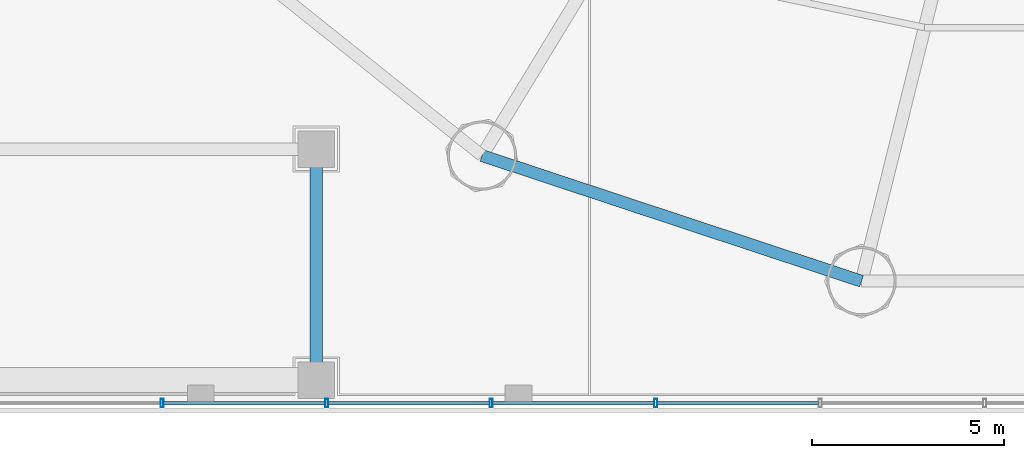
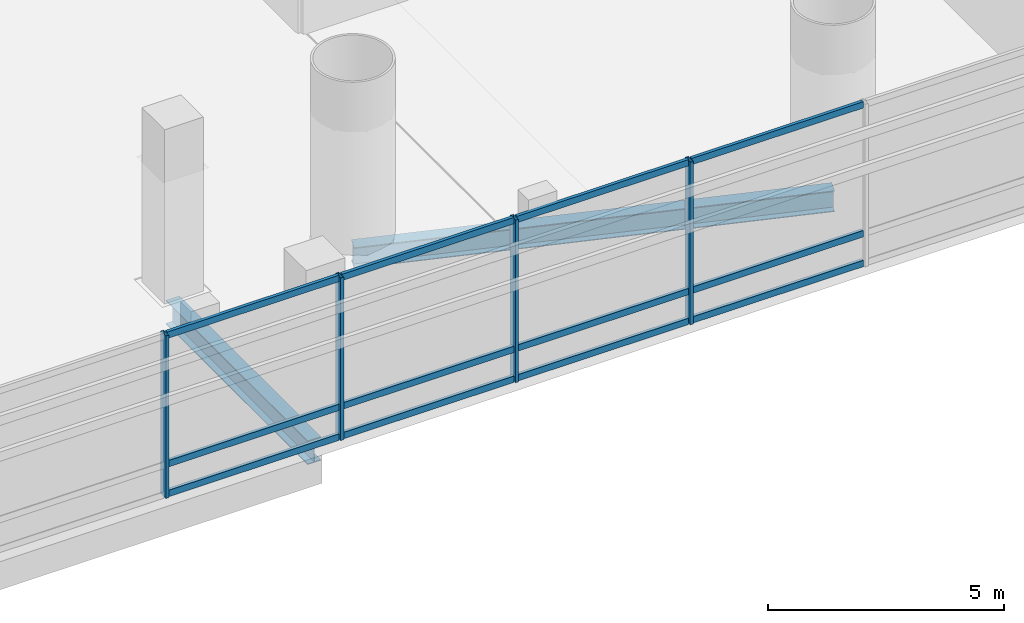
# One storey, part 4 of 36: 16 members, 2 beams, 1 element without a shape of its own.
"""IFC4 building model written with IfcOpenShell, lengths in metres."""

import ifcopenshell
import ifcopenshell.guid

model = None  # the IFC model being written
_history = None  # IfcOwnerHistory: only IFC2X3 demands one
_inside = {}  # id of a spatial element -> (the spatial element, [elements in it])
_under = {}  # id of a project, library or spatial element -> (it, [spatial elements below it])
_declared = {}  # id of a project -> (the project, [libraries it declares])
_typed = {}  # id of a type object -> (the type object, [elements of that type])
_made_of = {}  # id of a material, layer set ... -> (it, [elements and type objects made of it])


def new_model(schema):
    """Start an empty IFC model of exactly this schema.

    Asked for "IFC4X3", IfcOpenShell would pick the latest addendum, in which some entities
    have other attributes; the version numbers below select the first issue.
    IFC2X3 requires an IfcOwnerHistory on every rooted entity: one is made here for all.
    """
    global model, _history
    if schema == "IFC4X3":
        model = ifcopenshell.file(schema_version=(4, 3, 0, 0))
    else:
        model = ifcopenshell.file(schema=schema)
    _inside.clear()
    _under.clear()
    _declared.clear()
    _typed.clear()
    _made_of.clear()
    _history = None
    if model.schema == "IFC2X3":
        org = make("IfcOrganization", Name="unknown")
        user = make(
            "IfcPersonAndOrganization",
            ThePerson=make("IfcPerson", FamilyName="unknown"),
            TheOrganization=org,
        )
        app = make(
            "IfcApplication",
            ApplicationDeveloper=org,
            Version="unknown",
            ApplicationFullName="unknown",
            ApplicationIdentifier="unknown",
        )
        _history = make(
            "IfcOwnerHistory",
            OwningUser=user,
            OwningApplication=app,
            ChangeAction="ADDED",
            CreationDate=0,
        )
    return model


def make(cls, **values):
    """One entity of the class cls with the attributes given. An attribute that is None is left unset."""
    return model.create_entity(
        cls, **{name: value for name, value in values.items() if value is not None}
    )


def rooted(cls, **values):
    """An entity with a GlobalId (a new one), such as an element, a storey or a relation."""
    return make(cls, GlobalId=ifcopenshell.guid.new(), OwnerHistory=_history, **values)


def si_unit(unit_type, name, prefix=None):
    """IfcSIUnit, for example si_unit("LENGTHUNIT", "METRE", prefix="MILLI")."""
    return make("IfcSIUnit", UnitType=unit_type, Prefix=prefix, Name=name)


def assignment(units):
    """IfcUnitAssignment: the units of a project."""
    return None if units is None else make("IfcUnitAssignment", Units=units)


def point(xyz):
    """IfcCartesianPoint."""
    return None if xyz is None else make("IfcCartesianPoint", Coordinates=xyz)


def direction(xyz):
    """IfcDirection."""
    return None if xyz is None else make("IfcDirection", DirectionRatios=xyz)


def frame(location, z_axis=None, x_axis=None):
    """IfcAxis2Placement3D, a coordinate frame: its origin and axes. An axis left out is left unset."""
    return make(
        "IfcAxis2Placement3D",
        Location=point(location),
        Axis=direction(z_axis),
        RefDirection=direction(x_axis),
    )


def frame_2d(location, x_axis=None):
    """IfcAxis2Placement2D, a coordinate frame in the plane: its origin and x axis."""
    return make(
        "IfcAxis2Placement2D", Location=point(location), RefDirection=direction(x_axis)
    )


def origin():
    """The frame at (0, 0, 0) with its axes left unset."""
    return frame((0.0, 0.0, 0.0))


def origin_2d():
    """The frame at (0, 0) in the plane with its x axis left unset."""
    return frame_2d((0.0, 0.0))


def place(relative_to, where):
    """IfcLocalPlacement: puts the frame where relative to a parent placement (None: the world)."""
    return make(
        "IfcLocalPlacement", PlacementRelTo=relative_to, RelativePlacement=where
    )


def context(
    kind, dimensions, precision=None, world=None, true_north=None, identifier=None
):
    """IfcGeometricRepresentationContext, for example the 3D "Model" context."""
    return make(
        "IfcGeometricRepresentationContext",
        ContextIdentifier=identifier,
        ContextType=kind,
        CoordinateSpaceDimension=dimensions,
        Precision=precision,
        WorldCoordinateSystem=world,
        TrueNorth=true_north,
    )


def subcontext(parent, identifier, kind, view, scale=None):
    """IfcGeometricRepresentationSubContext, for example "Body" below "Model"."""
    return make(
        "IfcGeometricRepresentationSubContext",
        ContextIdentifier=identifier,
        ContextType=kind,
        ParentContext=parent,
        TargetScale=scale,
        TargetView=view,
    )


def project(units=None, contexts=None):
    """IfcProject with its units and contexts."""
    return rooted(
        "IfcProject",
        Name="project",
        RepresentationContexts=contexts,
        UnitsInContext=assignment(units),
    )


def spatial(cls, under=None, at=None, **own):
    """A site, building, storey or space (cls), placed at a placement, below another one or the project."""
    s = rooted(cls, ObjectPlacement=at, **own)
    if under is not None:
        _under.setdefault(under.id(), (under, []))[1].append(s)
    return s


def profile(cls, at=None, kind="AREA", **sizes):
    """A parametric profile (cls). Its sizes go by their IFC names, for example OverallWidth=200.0."""
    return make(cls, ProfileType=kind, Position=at, **sizes)


def hollow_rectangle(**sizes):
    """IfcRectangleHollowProfileDef."""
    return profile("IfcRectangleHollowProfileDef", **sizes)


def i_section(**sizes):
    """IfcIShapeProfileDef."""
    return profile("IfcIShapeProfileDef", **sizes)


def extrude(swept, where, along, depth):
    """IfcExtrudedAreaSolid: the profile swept, set in the frame where, extruded along a direction by depth."""
    return make(
        "IfcExtrudedAreaSolid",
        SweptArea=swept,
        Position=where,
        ExtrudedDirection=direction(along),
        Depth=depth,
    )


def shape(context_of_items, identifier, shape_type, items):
    """IfcShapeRepresentation: the items that make up one representation, for example the "Body"."""
    return make(
        "IfcShapeRepresentation",
        ContextOfItems=context_of_items,
        RepresentationIdentifier=identifier,
        RepresentationType=shape_type,
        Items=items,
    )


def source(mapping_origin, context_of_items, identifier, shape_type, items):
    """IfcRepresentationMap: a shape defined once, which mapped items show again and again."""
    return make(
        "IfcRepresentationMap",
        MappingOrigin=mapping_origin,
        MappedRepresentation=shape(context_of_items, identifier, shape_type, items),
    )


def transform(
    local_origin,
    x_axis=None,
    y_axis=None,
    z_axis=None,
    scale=None,
    scale2=None,
    scale3=None,
    uniform=True,
):
    """IfcCartesianTransformationOperator3D, or its non-uniform kind. x_axis, y_axis, z_axis: its Axis1, 2, 3."""
    if uniform:
        return make(
            "IfcCartesianTransformationOperator3D",
            Axis1=direction(x_axis),
            Axis2=direction(y_axis),
            LocalOrigin=point(local_origin),
            Scale=scale,
            Axis3=direction(z_axis),
        )
    return make(
        "IfcCartesianTransformationOperator3DnonUniform",
        Axis1=direction(x_axis),
        Axis2=direction(y_axis),
        LocalOrigin=point(local_origin),
        Scale=scale,
        Axis3=direction(z_axis),
        Scale2=scale2,
        Scale3=scale3,
    )


def mapped(mapping_source, mapping_target):
    """IfcMappedItem: shows the shape of a source again, moved by a transform."""
    return make(
        "IfcMappedItem", MappingSource=mapping_source, MappingTarget=mapping_target
    )


def material(Name=None, Category=None):
    """IfcMaterial."""
    return make("IfcMaterial", Name=Name, Category=Category)


def material_profile(
    of_material, cross_section, Name=None, Category=None, Priority=None
):
    """IfcMaterialProfile: a cross section and its material."""
    return make(
        "IfcMaterialProfile",
        Name=Name,
        Material=of_material,
        Profile=cross_section,
        Priority=Priority,
        Category=Category,
    )


def profile_set(profiles, Name=None, composite=None):
    """IfcMaterialProfileSet."""
    return make(
        "IfcMaterialProfileSet",
        Name=Name,
        MaterialProfiles=profiles,
        CompositeProfile=composite,
    )


def made_of(thing, what):
    """Note that an element or type object is made of a material, layer set ...; save() writes the relation."""
    if what is not None:
        _made_of.setdefault(what.id(), (what, []))[1].append(thing)
    return thing


def type_object(cls, material=None, **own):
    """A type object (cls), such as IfcWallType, which elements share."""
    return made_of(rooted(cls, **own), material)


def element(
    cls,
    number,
    at=None,
    inside=None,
    cuts=None,
    type_object=None,
    material=None,
    context=None,
    identifier="Body",
    shape_type=None,
    held_by="IfcProductDefinitionShape",
    body=None,
    shapes=None,
    **own,
):
    """One element of the class cls, such as IfcWall. Its Tag is "e" and its number.

    at: its placement. inside: the storey or other place that contains it. cuts: it is an
    opening in that element (IfcRelVoidsElement). A single representation is given by context,
    identifier, shape_type and body (its items); several are given by shapes. held_by: the class
    of the entity that holds the representations. save() writes the other relations.
    """
    e = rooted(cls, Tag="e%d" % number, ObjectPlacement=at, **own)
    if body is not None:
        shapes = [shape(context, identifier, shape_type, body)]
    if shapes is not None:
        e.Representation = make(held_by, Representations=shapes)
    if inside is not None:
        _inside.setdefault(inside.id(), (inside, []))[1].append(e)
    if cuts is not None:
        rooted(
            "IfcRelVoidsElement", RelatingBuildingElement=cuts, RelatedOpeningElement=e
        )
    if type_object is not None:
        _typed.setdefault(type_object.id(), (type_object, []))[1].append(e)
    return made_of(e, material)


def aggregate(whole, parts):
    """IfcRelAggregates: a whole, such as a stair, and the parts it consists of."""
    return rooted("IfcRelAggregates", RelatingObject=whole, RelatedObjects=parts)


def save(model, path):
    """Write the relations noted so far, then the file.

    IfcRelAggregates (storeys below a building ...), IfcRelContainedInSpatialStructure (elements
    in a storey), IfcRelDefinesByType, IfcRelAssociatesMaterial and IfcRelDeclares: one each for
    every whole, place, type object, material and project.
    """
    for whole, parts in _under.values():
        aggregate(whole, parts)
    for where, things in _inside.values():
        rooted(
            "IfcRelContainedInSpatialStructure",
            RelatedElements=things,
            RelatingStructure=where,
        )
    for kind, things in _typed.values():
        rooted("IfcRelDefinesByType", RelatedObjects=things, RelatingType=kind)
    for what, things in _made_of.values():
        rooted("IfcRelAssociatesMaterial", RelatedObjects=things, RelatingMaterial=what)
    for by, libraries in _declared.values():
        rooted("IfcRelDeclares", RelatingContext=by, RelatedDefinitions=libraries)
    model.write(path)


model = new_model("IFC4")

# Units and contexts
model_context = context("Model", 3, precision=1e-05, world=origin(), true_north=direction((-0.2419218956, 0.970295726276)))
body_context = subcontext(model_context, "Body", "Model", "MODEL_VIEW")
ifc_project = project(units=[si_unit("LENGTHUNIT", "METRE"), si_unit("AREAUNIT", "SQUARE_METRE"), si_unit("VOLUMEUNIT", "CUBIC_METRE"), si_unit("PLANEANGLEUNIT", "RADIAN"), si_unit("MASSUNIT", "GRAM", prefix="KILO")], contexts=[model_context])

# Site, building, storey
site_placement = place(None, origin())
site = spatial("IfcSite", under=ifc_project, at=site_placement, CompositionType="ELEMENT")
building_placement = place(site_placement, origin())
building = spatial("IfcBuilding", under=site, at=building_placement, Name="Cobrevalo Terracotta Tower", CompositionType="ELEMENT")
storey_placement = place(building_placement, frame((0.0, 0.0, 9.89990234375)))
storey = spatial("IfcBuildingStorey", under=building, at=storey_placement, Name="L02", CompositionType="ELEMENT", Elevation=9.89990234375)

# Beams
ifc_material_1 = material(Name="Steel S355", Category="steel")
ifc_material_profile_1 = material_profile(ifc_material_1, i_section(OverallWidth=0.324951171875, OverallDepth=0.615966796875, WebThickness=0.013916015625, FlangeThickness=0.021484375, at=origin_2d()), Name="W 610x174")
ifc_profile_set_1 = profile_set([ifc_material_profile_1], Name="Steel S355")
beam_type_1 = type_object("IfcBeamType", Name="Structural Beam W 610x174 (Steel S355)", PredefinedType="BEAM", material=ifc_profile_set_1)
beam_1_placement = place(storey_placement, frame((18.5, 2.800048828125, -0.60791015625), z_axis=(0.0, 1.0, 0.0), x_axis=(-1.0, 0.0, 0.0)))
element("IfcBeam", 1, at=beam_1_placement, inside=storey, type_object=beam_type_1, Name="L02 podium grid beam G3-GA to G3-GB", PredefinedType="BEAM", context=body_context, shape_type="SweptSolid", body=[
    extrude(i_section(OverallWidth=0.324951171875, OverallDepth=0.615966796875, WebThickness=0.013916015625, FlangeThickness=0.021484375, at=origin_2d()), origin(), (0.0, 0.0, 1.0), 6.0),
])
ifc_material_profile_2 = material_profile(ifc_material_1, i_section(OverallWidth=0.31201171875, OverallDepth=0.54296875, WebThickness=0.0126953125, FlangeThickness=0.020263671875, at=origin_2d()), Name="W 530x150")
ifc_profile_set_2 = profile_set([ifc_material_profile_2], Name="Steel S355")
beam_type_2 = type_object("IfcBeamType", Name="Structural Spandrel W 530x150 (Steel S355)", PredefinedType="SPANDREL", material=ifc_profile_set_2)
beam_2_placement = place(storey_placement, frame((22.80517578125, 8.63232421875, -0.5712890625), z_axis=(0.949372202648, -0.314153498848, 0.0), x_axis=(0.314153498848, 0.949372202648, 0.0)))
element("IfcBeam", 2, at=beam_2_placement, inside=storey, type_object=beam_type_2, Name="L02 perimeter ring spandrel 11", PredefinedType="SPANDREL", context=body_context, shape_type="SweptSolid", body=[
    extrude(i_section(OverallWidth=0.31201171875, OverallDepth=0.54296875, WebThickness=0.0126953125, FlangeThickness=0.020263671875, at=origin_2d()), origin(), (0.0, 0.0, 1.0), 10.385009765625),
])

# Curtain wall, members
ifc_material_2 = material(Name="Anodized aluminium", Category="aluminium")
curtain_wall_type = type_object("IfcCurtainWallType", Name="Podium gallery & conservatory curtain wall CW-S2", PredefinedType="NOTDEFINED", material=ifc_material_2)
curtain_wall_placement = place(storey_placement, origin())
curtain_wall = element("IfcCurtainWall", 3, at=curtain_wall_placement, inside=storey, type_object=curtain_wall_type, Name="L02 curtain wall CW-POD-L02-S", PredefinedType="NOTDEFINED")
ifc_material_profile_3 = material_profile(ifc_material_2, hollow_rectangle(XDim=0.080078125, YDim=0.219970703125, WallThickness=0.0048828125, at=origin_2d()), Name="CWM 80x220")
ifc_profile_set_3 = profile_set([ifc_material_profile_3], Name="Anodized aluminium")
member_type_1 = type_object("IfcMemberType", Name="Storefront & atrium aluminium mullion 80x220", PredefinedType="MULLION", material=ifc_profile_set_3)
shared_shape_1 = source(origin(), body_context, "Body", "SweptSolid", [
    extrude(hollow_rectangle(XDim=0.080078125, YDim=0.219970703125, WallThickness=0.0048828125, at=origin_2d()), origin(), (0.0, 0.0, 1.0), 4.2001953125),
])
member_1_placement = place(storey_placement, frame((14.49658203125, 2.199951171875, 0.0), z_axis=(0.0, 0.0, 1.0), x_axis=(1.0, 0.0, 0.0)))
member_1 = element("IfcMember", 4, at=member_1_placement, type_object=member_type_1, Name="CW-POD-L02-S vertical mullion 03", PredefinedType="MULLION", context=body_context, shape_type="MappedRepresentation", body=[
    mapped(shared_shape_1, transform((0.0, 0.0, 0.0), scale=1.0)),
])
member_2_placement = place(storey_placement, frame((18.77001953125, 2.199951171875, 0.0), z_axis=(0.0, 0.0, 1.0), x_axis=(1.0, 0.0, 0.0)))
member_2 = element("IfcMember", 5, at=member_2_placement, type_object=member_type_1, Name="CW-POD-L02-S vertical mullion 04", PredefinedType="MULLION", context=body_context, shape_type="MappedRepresentation", body=[
    mapped(shared_shape_1, transform((0.0, 0.0, 0.0), scale=1.0)),
])
member_3_placement = place(storey_placement, frame((23.043212890625, 2.199951171875, 0.0), z_axis=(0.0, 0.0, 1.0), x_axis=(1.0, 0.0, 0.0)))
member_3 = element("IfcMember", 6, at=member_3_placement, type_object=member_type_1, Name="CW-POD-L02-S vertical mullion 05", PredefinedType="MULLION", context=body_context, shape_type="MappedRepresentation", body=[
    mapped(shared_shape_1, transform((0.0, 0.0, 0.0), scale=1.0)),
])
member_4_placement = place(storey_placement, frame((27.316650390625, 2.199951171875, 0.0), z_axis=(0.0, 0.0, 1.0), x_axis=(1.0, 0.0, 0.0)))
member_4 = element("IfcMember", 7, at=member_4_placement, type_object=member_type_1, Name="CW-POD-L02-S vertical mullion 06", PredefinedType="MULLION", context=body_context, shape_type="MappedRepresentation", body=[
    mapped(shared_shape_1, transform((0.0, 0.0, 0.0), scale=1.0)),
])
ifc_material_profile_4 = material_profile(ifc_material_2, hollow_rectangle(XDim=0.080078125, YDim=0.1650390625, WallThickness=0.00439453125, at=origin_2d()), Name="CWT 80x165")
ifc_profile_set_4 = profile_set([ifc_material_profile_4], Name="Anodized aluminium")
member_type_2 = type_object("IfcMemberType", Name="Storefront & atrium aluminium transom 80x165", PredefinedType="USERDEFINED", material=ifc_profile_set_4)
shared_shape_2 = source(origin(), body_context, "Body", "SweptSolid", [
    extrude(hollow_rectangle(XDim=0.080078125, YDim=0.1650390625, WallThickness=0.00439453125, at=origin_2d()), origin(), (0.0, 0.0, 1.0), 4.193359375),
])
member_5_placement = place(storey_placement, frame((14.53662109375, 2.199951171875, 0.050048828125), z_axis=(1.0, 0.0, 0.0), x_axis=(0.0, 1.0, 0.0)))
member_5 = element("IfcMember", 8, at=member_5_placement, type_object=member_type_2, Name="CW-POD-L02-S transom B03-T1", ObjectType="TRANSOM", PredefinedType="USERDEFINED", context=body_context, shape_type="MappedRepresentation", body=[
    mapped(shared_shape_2, transform((0.0, 0.0, 0.0), scale=1.0)),
])
member_6_placement = place(storey_placement, frame((14.53662109375, 2.199951171875, 0.820068359375), z_axis=(1.0, 0.0, 0.0), x_axis=(0.0, 1.0, 0.0)))
member_6 = element("IfcMember", 9, at=member_6_placement, type_object=member_type_2, Name="CW-POD-L02-S transom B03-T2", ObjectType="TRANSOM", PredefinedType="USERDEFINED", context=body_context, shape_type="MappedRepresentation", body=[
    mapped(shared_shape_2, transform((0.0, 0.0, 0.0), scale=1.0)),
])
member_7_placement = place(storey_placement, frame((14.53662109375, 2.199951171875, 4.150146484375), z_axis=(1.0, 0.0, 0.0), x_axis=(0.0, 1.0, 0.0)))
member_7 = element("IfcMember", 10, at=member_7_placement, type_object=member_type_2, Name="CW-POD-L02-S transom B03-T3", ObjectType="TRANSOM", PredefinedType="USERDEFINED", context=body_context, shape_type="MappedRepresentation", body=[
    mapped(shared_shape_2, transform((0.0, 0.0, 0.0), scale=1.0)),
])
member_8_placement = place(storey_placement, frame((18.81005859375, 2.199951171875, 0.050048828125), z_axis=(1.0, 0.0, 0.0), x_axis=(0.0, 1.0, 0.0)))
member_8 = element("IfcMember", 11, at=member_8_placement, type_object=member_type_2, Name="CW-POD-L02-S transom B04-T1", ObjectType="TRANSOM", PredefinedType="USERDEFINED", context=body_context, shape_type="MappedRepresentation", body=[
    mapped(shared_shape_2, transform((0.0, 0.0, 0.0), scale=1.0)),
])
member_9_placement = place(storey_placement, frame((18.81005859375, 2.199951171875, 0.820068359375), z_axis=(1.0, 0.0, 0.0), x_axis=(0.0, 1.0, 0.0)))
member_9 = element("IfcMember", 12, at=member_9_placement, type_object=member_type_2, Name="CW-POD-L02-S transom B04-T2", ObjectType="TRANSOM", PredefinedType="USERDEFINED", context=body_context, shape_type="MappedRepresentation", body=[
    mapped(shared_shape_2, transform((0.0, 0.0, 0.0), scale=1.0)),
])
member_10_placement = place(storey_placement, frame((18.81005859375, 2.199951171875, 4.150146484375), z_axis=(1.0, 0.0, 0.0), x_axis=(0.0, 1.0, 0.0)))
member_10 = element("IfcMember", 13, at=member_10_placement, type_object=member_type_2, Name="CW-POD-L02-S transom B04-T3", ObjectType="TRANSOM", PredefinedType="USERDEFINED", context=body_context, shape_type="MappedRepresentation", body=[
    mapped(shared_shape_2, transform((0.0, 0.0, 0.0), scale=1.0)),
])
member_11_placement = place(storey_placement, frame((23.083251953125, 2.199951171875, 0.050048828125), z_axis=(1.0, 0.0, 0.0), x_axis=(0.0, 1.0, 0.0)))
member_11 = element("IfcMember", 14, at=member_11_placement, type_object=member_type_2, Name="CW-POD-L02-S transom B05-T1", ObjectType="TRANSOM", PredefinedType="USERDEFINED", context=body_context, shape_type="MappedRepresentation", body=[
    mapped(shared_shape_2, transform((0.0, 0.0, 0.0), scale=1.0)),
])
member_12_placement = place(storey_placement, frame((23.083251953125, 2.199951171875, 0.820068359375), z_axis=(1.0, 0.0, 0.0), x_axis=(0.0, 1.0, 0.0)))
member_12 = element("IfcMember", 15, at=member_12_placement, type_object=member_type_2, Name="CW-POD-L02-S transom B05-T2", ObjectType="TRANSOM", PredefinedType="USERDEFINED", context=body_context, shape_type="MappedRepresentation", body=[
    mapped(shared_shape_2, transform((0.0, 0.0, 0.0), scale=1.0)),
])
member_13_placement = place(storey_placement, frame((23.083251953125, 2.199951171875, 4.150146484375), z_axis=(1.0, 0.0, 0.0), x_axis=(0.0, 1.0, 0.0)))
member_13 = element("IfcMember", 16, at=member_13_placement, type_object=member_type_2, Name="CW-POD-L02-S transom B05-T3", ObjectType="TRANSOM", PredefinedType="USERDEFINED", context=body_context, shape_type="MappedRepresentation", body=[
    mapped(shared_shape_2, transform((0.0, 0.0, 0.0), scale=1.0)),
])
member_14_placement = place(storey_placement, frame((27.356689453125, 2.199951171875, 0.050048828125), z_axis=(1.0, 0.0, 0.0), x_axis=(0.0, 1.0, 0.0)))
member_14 = element("IfcMember", 17, at=member_14_placement, type_object=member_type_2, Name="CW-POD-L02-S transom B06-T1", ObjectType="TRANSOM", PredefinedType="USERDEFINED", context=body_context, shape_type="MappedRepresentation", body=[
    mapped(shared_shape_2, transform((0.0, 0.0, 0.0), scale=1.0)),
])
member_15_placement = place(storey_placement, frame((27.356689453125, 2.199951171875, 0.820068359375), z_axis=(1.0, 0.0, 0.0), x_axis=(0.0, 1.0, 0.0)))
member_15 = element("IfcMember", 18, at=member_15_placement, type_object=member_type_2, Name="CW-POD-L02-S transom B06-T2", ObjectType="TRANSOM", PredefinedType="USERDEFINED", context=body_context, shape_type="MappedRepresentation", body=[
    mapped(shared_shape_2, transform((0.0, 0.0, 0.0), scale=1.0)),
])
member_16_placement = place(storey_placement, frame((27.356689453125, 2.199951171875, 4.150146484375), z_axis=(1.0, 0.0, 0.0), x_axis=(0.0, 1.0, 0.0)))
member_16 = element("IfcMember", 19, at=member_16_placement, type_object=member_type_2, Name="CW-POD-L02-S transom B06-T3", ObjectType="TRANSOM", PredefinedType="USERDEFINED", context=body_context, shape_type="MappedRepresentation", body=[
    mapped(shared_shape_2, transform((0.0, 0.0, 0.0), scale=1.0)),
])
aggregate(curtain_wall, [member_1, member_2, member_3, member_4, member_5, member_6, member_7, member_8, member_9, member_10, member_11, member_12, member_13, member_14, member_15, member_16])

save(model, "model.ifc")
